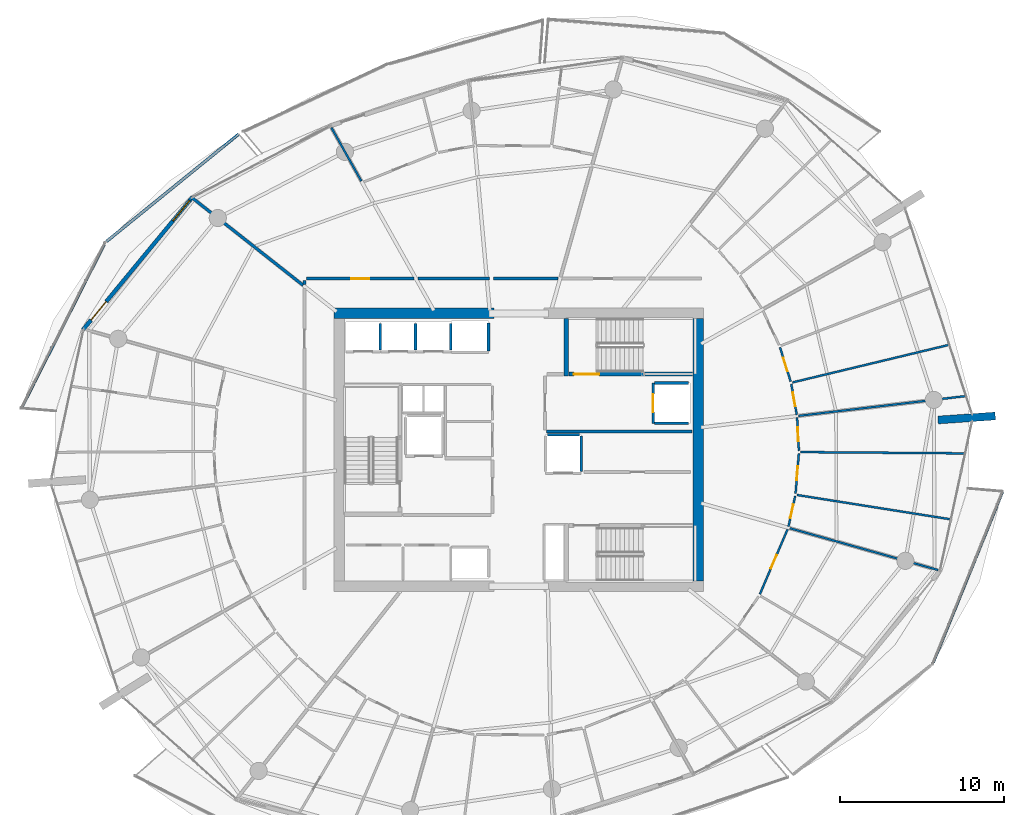
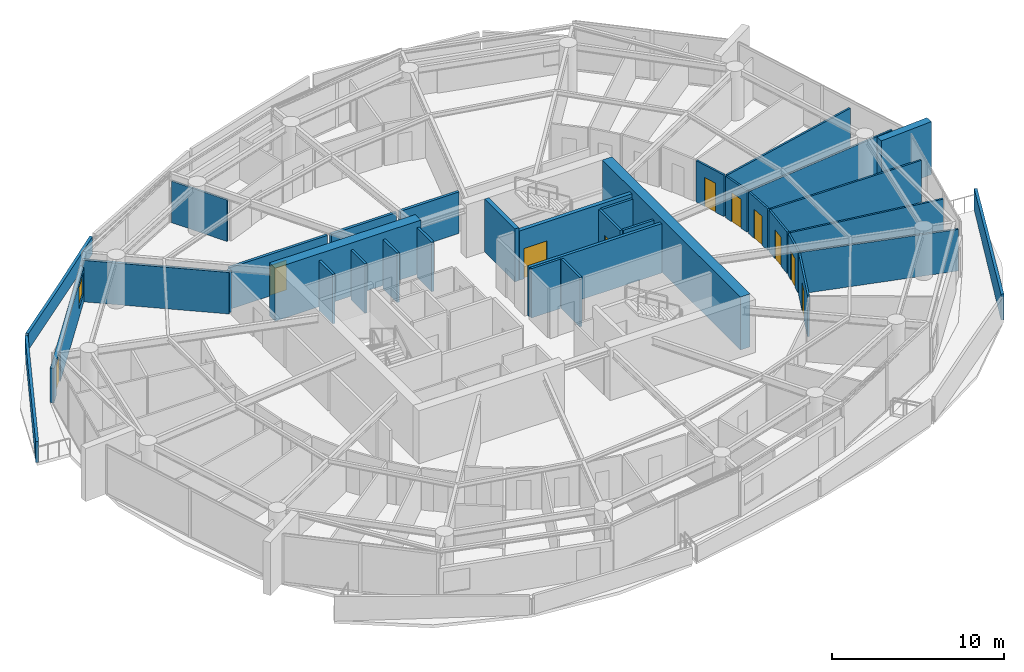
# One storey, part 14 of 21: 36 walls, 10 doors, 1 window, 11 openings.
"""IFC4 building model written with IfcOpenShell, lengths in metres."""

from ifc_helpers import new_model, si_unit, direction, frame, frame_2d, origin, place, context, subcontext, project, spatial, polyline, rectangle, outline, extrude, material, layer, layer_set, type_object, element, fill, save


model = new_model("IFC4")

# Units and contexts
model_context = context("Model", 3, precision=1e-05, world=origin(), true_north=direction((0.0, 1.0)))
body_context = subcontext(model_context, "Body", "Model", "MODEL_VIEW")
ifc_project = project(units=[si_unit("LENGTHUNIT", "METRE"), si_unit("AREAUNIT", "SQUARE_METRE"), si_unit("VOLUMEUNIT", "CUBIC_METRE"), si_unit("PLANEANGLEUNIT", "RADIAN"), si_unit("MASSUNIT", "GRAM", prefix="KILO")], contexts=[model_context])

# Site, building, storey
site_placement = place(None, origin())
site = spatial("IfcSite", under=ifc_project, at=site_placement, CompositionType="ELEMENT")
building_placement = place(site_placement, origin())
building = spatial("IfcBuilding", under=site, at=building_placement, Name="Kazma Halo Residences", CompositionType="ELEMENT")
storey_placement = place(building_placement, frame((0.0, 0.0, 187.800048828125)))
storey = spatial("IfcBuildingStorey", under=building, at=storey_placement, Name="L47", CompositionType="ELEMENT", Elevation=187.800048828125)

# Walls
ifc_material_1 = material(Name="White Concrete C50/60 Balustrade", Category="concrete")
ifc_layer_1 = layer(ifc_material_1, 0.179931640625)
ifc_layer_set_1 = layer_set([ifc_layer_1], Name="White Concrete C50/60 Balustrade")
wall_type_1 = type_object("IfcWallType", Name="WL-BAL-WAVE-180", PredefinedType="PARAPET", material=ifc_layer_set_1)
wall_1_placement = place(storey_placement, frame((31.336669921875, 61.2705078125, 0.0), z_axis=(0.0, 0.0, 1.0), x_axis=(-0.776456761235, -0.630170530834, 0.0)))
element("IfcWall", 1, at=wall_1_placement, inside=storey, type_object=wall_type_1, Name="L47 white wave balustrade wall NW.1", PredefinedType="PARAPET", context=body_context, shape_type="SweptSolid", body=[
    extrude(outline(polyline([(0.0, 0.0), (10.38916015625, 0.0), (10.38916015625, 1.14794921875), (5.194580078125, 1.126953125), (0.0, 1.223876953125), (0.0, 0.0)])), frame((0.0, 0.08984375, 0.0), z_axis=(0.0, -1.0, 0.0), x_axis=(1.0, 0.0, 0.0)), (0.0, 0.0, 1.0), 0.179931640625),
])
wall_2_placement = place(storey_placement, frame((23.12255859375, 54.541015625, 0.0), z_axis=(0.0, 0.0, 1.0), x_axis=(-0.451373731974, -0.892335001042, 0.0)))
element("IfcWall", 2, at=wall_2_placement, inside=storey, type_object=wall_type_1, Name="L47 white wave balustrade wall NW.2", PredefinedType="PARAPET", context=body_context, shape_type="SweptSolid", body=[
    extrude(outline(polyline([(0.0, 0.0), (11.207763671875, 0.0), (11.20751953125, 1.48291015625), (5.603759765625, 1.283935546875), (0.0, 1.14794921875), (0.0, 0.0)])), frame((0.0, 0.08984375, 0.0), z_axis=(0.0, -1.0, 0.0), x_axis=(1.0, 0.0, 0.0)), (0.0, 0.0, 1.0), 0.179931640625),
])
wall_3_placement = place(storey_placement, frame((73.724609375, 29.02685546875, 0.0), z_axis=(0.0, 0.0, 1.0), x_axis=(0.375821400088, 0.926692114586, 0.0)))
element("IfcWall", 3, at=wall_3_placement, inside=storey, type_object=wall_type_1, Name="L47 white wave balustrade wall SE.2", PredefinedType="PARAPET", context=body_context, shape_type="SweptSolid", body=[
    extrude(outline(polyline([(0.0, 0.0), (11.256591796875, 0.0), (11.256591796875, 1.4970703125), (5.62841796875, 1.696044921875), (0.0, 1.83203125), (0.0, 0.0)])), frame((0.0, 0.08984375, 0.0), z_axis=(0.0, -1.0, 0.0), x_axis=(1.0, 0.0, 0.0)), (0.0, 0.0, 1.0), 0.179931640625),
])
ifc_material_2 = material(Name="Pale Concrete C60/75", Category="concrete")
ifc_layer_2 = layer(ifc_material_2, 0.47998046875)
ifc_layer_set_2 = layer_set([ifc_layer_2], Name="Pale Concrete C60/75")
wall_type_2 = type_object("IfcWallType", Name="WL-BLADE-480", PredefinedType="SOLIDWALL", material=ifc_layer_set_2)
wall_4_placement = place(storey_placement, frame((74.0126953125, 43.819091796875, 0.0), z_axis=(0.0, 0.0, 1.0), x_axis=(0.997568676264, 0.069690287244, 0.0)))
element("IfcWall", 4, at=wall_4_placement, inside=storey, type_object=wall_type_2, Name="L47 pale concrete structural blade fin wall BW-04", PredefinedType="SOLIDWALL", context=body_context, shape_type="SweptSolid", body=[
    extrude(rectangle(XDim=3.499755859375, YDim=0.47998046875, at=frame_2d((1.75, 0.0))), origin(), (0.0, 0.0, 1.0), 3.75),
])
ifc_material_3 = material(Name="Concrete C60/75", Category="concrete")
ifc_layer_3 = layer(ifc_material_3, 0.64990234375)
ifc_layer_set_3 = layer_set([ifc_layer_3], Name="Concrete C60/75")
wall_type_3 = type_object("IfcWallType", Name="WL-CORE-650", PredefinedType="SHEAR", material=ifc_layer_set_3)
wall_5_placement = place(storey_placement, frame((37.14990234375, 50.324951171875, 0.0), z_axis=(0.0, 0.0, 1.0), x_axis=(1.0, 0.0, 0.0)))
element("IfcWall", 5, at=wall_5_placement, inside=storey, type_object=wall_type_3, Name="L47 central core shear wall NW", PredefinedType="SHEAR", context=body_context, shape_type="SweptSolid", body=[
    extrude(rectangle(XDim=9.75, YDim=0.64990234375, at=frame_2d((4.875, 0.0))), origin(), (0.0, 0.0, 1.0), 3.75),
])
wall_6_placement = place(storey_placement, frame((59.375, 34.0, 0.0), z_axis=(0.0, 0.0, 1.0), x_axis=(0.0, 1.0, 0.0)))
element("IfcWall", 6, at=wall_6_placement, inside=storey, type_object=wall_type_3, Name="L47 central core shear wall E", PredefinedType="SHEAR", context=body_context, shape_type="SweptSolid", body=[
    extrude(rectangle(XDim=16.0, YDim=0.64990234375, at=frame_2d((8.0, 0.0))), origin(), (0.0, 0.0, 1.0), 3.75),
])
ifc_layer_4 = layer(ifc_material_3, 0.280029296875)
ifc_layer_set_4 = layer_set([ifc_layer_4], Name="Concrete C60/75")
wall_type_4 = type_object("IfcWallType", Name="WL-CORE-ST-280", PredefinedType="SHEAR", material=ifc_layer_set_4)
wall_7_placement = place(storey_placement, frame((51.31005859375, 46.5, 0.0), z_axis=(0.0, 0.0, 1.0), x_axis=(0.0, 1.0, 0.0)))
element("IfcWall", 7, at=wall_7_placement, inside=storey, type_object=wall_type_4, Name="L47 stairwell bearing wall ST02-W", PredefinedType="SHEAR", context=body_context, shape_type="SweptSolid", body=[
    extrude(rectangle(XDim=3.5, YDim=0.280029296875, at=frame_2d((1.75, 0.0))), origin(), (0.0, 0.0, 1.0), 3.75),
])
ifc_material_4 = material(Name="Acoustic Twin-Stud Gypsum")
ifc_layer_5 = layer(ifc_material_4, 0.179931640625)
ifc_layer_set_5 = layer_set([ifc_layer_5], Name="Acoustic Twin-Stud Gypsum")
wall_type_5 = type_object("IfcWallType", Name="WL-DEM-180", PredefinedType="PARTITIONING", material=ifc_layer_set_5)
wall_8_placement = place(storey_placement, frame((35.263671875, 52.04052734375, 0.0), z_axis=(0.0, 0.0, 1.0), x_axis=(-0.785322457947, 0.619086938195, 0.0)))
element("IfcWall", 8, at=wall_8_placement, inside=storey, type_object=wall_type_5, Name="L47 apartment demising radial wall 05", PredefinedType="PARTITIONING", context=body_context, shape_type="SweptSolid", body=[
    extrude(rectangle(XDim=8.609130859375, YDim=0.179931640625, at=frame_2d((4.3046875, 0.0))), origin(), (0.0, 0.0, 1.0), 2.93994140625),
])

# Wall, opening, door
wall_9_placement = place(storey_placement, frame((42.027587890625, 52.449951171875, 0.0), z_axis=(0.0, 0.0, 1.0), x_axis=(-1.0, 0.0, 0.0)))
wall_9 = element("IfcWall", 9, at=wall_9_placement, inside=storey, type_object=wall_type_5, Name="L47 Apartment 1 entrance corridor wall", PredefinedType="PARTITIONING", context=body_context, shape_type="SweptSolid", body=[
    extrude(rectangle(XDim=6.5576171875, YDim=0.179931640625, at=frame_2d((3.27880859375, 0.0))), origin(), (0.0, 0.0, 1.0), 2.93994140625),
])
opening_1_placement = place(wall_9_placement, frame((2.72900390625, 0.0, 0.0)))
opening_1 = element("IfcOpeningElement", 10, at=opening_1_placement, cuts=wall_9, Name="Opening DA-1100", PredefinedType="OPENING", context=body_context, shape_type="SweptSolid", body=[
    extrude(rectangle(XDim=1.10009765625, YDim=2.10009765625, at=frame_2d((0.550048828125, 1.050048828125))), frame((0.0, 0.099853515625, 0.0), z_axis=(0.0, -1.0, 0.0), x_axis=(1.0, 0.0, 0.0)), (0.0, 0.0, 1.0), 0.199951171875),
])
ifc_material_5 = material(Name="Acoustic Walnut Fire Leaf")
door_type_1 = type_object("IfcDoorType", Name="DR-FD60-1100", OperationType="NOTDEFINED", PredefinedType="DOOR", material=ifc_material_5)
door_1_placement = place(opening_1_placement, origin())
door_1 = element("IfcDoor", 11, at=door_1_placement, inside=storey, type_object=door_type_1, Name="L47 Apartment 1 entrance fire door", OperationType="SINGLE_SWING_LEFT", OverallHeight=2.10009765625, OverallWidth=1.10009765625, PredefinedType="DOOR", context=body_context, shape_type="SweptSolid", body=[
    extrude(rectangle(XDim=1.10009765625, YDim=2.10009765625, at=frame_2d((0.550048828125, 1.050048828125))), frame((0.0, 0.02490234375, 0.0), z_axis=(0.0, -1.0, 0.0), x_axis=(1.0, 0.0, 0.0)), (0.0, 0.0, 1.0), 0.050048828125),
])
fill(opening_1, door_1)

# Walls
wall_10_placement = place(storey_placement, frame((35.35009765625, 52.330078125, 0.0), z_axis=(0.0, 0.0, 1.0), x_axis=(0.0, -1.0, 0.0)))
element("IfcWall", 12, at=wall_10_placement, inside=storey, type_object=wall_type_5, Name="L47 Apartment 1 entrance corridor wall", PredefinedType="PARTITIONING", context=body_context, shape_type="SweptSolid", body=[
    extrude(rectangle(XDim=0.237548828125, YDim=0.179931640625, at=frame_2d((0.11865234375, 0.0))), origin(), (0.0, 0.0, 1.0), 2.93994140625),
])
wall_11_placement = place(storey_placement, frame((50.8271484375, 52.449951171875, 0.0), z_axis=(0.0, 0.0, 1.0), x_axis=(-1.0, 0.0, 0.0)))
element("IfcWall", 13, at=wall_11_placement, inside=storey, type_object=wall_type_5, Name="L47 Apartment 1 inner wall 2", PredefinedType="PARTITIONING", context=body_context, shape_type="SweptSolid", body=[
    extrude(rectangle(XDim=3.94384765625, YDim=0.179931640625, at=frame_2d((1.971923828125, 0.0))), origin(), (0.0, 0.0, 1.0), 2.93994140625),
])
wall_12_placement = place(storey_placement, frame((46.643310546875, 52.449951171875, 0.0), z_axis=(0.0, 0.0, 1.0), x_axis=(-1.0, 0.0, 0.0)))
element("IfcWall", 14, at=wall_12_placement, inside=storey, type_object=wall_type_5, Name="L47 Apartment 1 inner wall 3", PredefinedType="PARTITIONING", context=body_context, shape_type="SweptSolid", body=[
    extrude(rectangle(XDim=4.375732421875, YDim=0.179931640625, at=frame_2d((2.18798828125, 0.0))), origin(), (0.0, 0.0, 1.0), 2.93994140625),
])

# Wall, openings, door, window
ifc_material_6 = material(Name="Insulated Pale-Metal Composite Wall")
ifc_layer_6 = layer(ifc_material_6, 0.239990234375)
ifc_layer_set_6 = layer_set([ifc_layer_6], Name="Insulated Pale-Metal Composite Wall")
wall_type_6 = type_object("IfcWallType", Name="WL-EXT-HOST-240", PredefinedType="SOLIDWALL", material=ifc_layer_set_6)
wall_13_placement = place(storey_placement, frame((28.514892578125, 57.42431640625, 0.0), z_axis=(0.0, 0.0, 1.0), x_axis=(-0.636759394418, -0.771062561418, 0.0)))
wall_13 = element("IfcWall", 15, at=wall_13_placement, inside=storey, type_object=wall_type_6, Name="L47 exterior terrace-access wall B06", PredefinedType="SOLIDWALL", context=body_context, shape_type="SweptSolid", body=[
    extrude(rectangle(XDim=10.494384765625, YDim=0.239990234375, at=frame_2d((5.2470703125, 0.0))), origin(), (0.0, 0.0, 1.0), 2.449951171875),
])
opening_2_placement = place(wall_13_placement, frame((8.2744140625, 0.0, 0.0)))
opening_2 = element("IfcOpeningElement", 16, at=opening_2_placement, cuts=wall_13, Name="Opening DTR-1600", PredefinedType="OPENING", context=body_context, shape_type="SweptSolid", body=[
    extrude(rectangle(XDim=1.449951171875, YDim=2.14990234375, at=frame_2d((0.72509765625, 1.074951171875))), frame((0.0, 0.1298828125, 0.0), z_axis=(0.0, -1.0, 0.0), x_axis=(1.0, 0.0, 0.0)), (0.0, 0.0, 1.0), 0.260009765625),
])
opening_3_placement = place(wall_13_placement, frame((0.280029296875, 0.0, 0.64990234375)))
opening_3 = element("IfcOpeningElement", 17, at=opening_3_placement, cuts=wall_13, Name="Opening W-1800", PredefinedType="OPENING", context=body_context, shape_type="SweptSolid", body=[
    extrude(rectangle(XDim=1.60009765625, YDim=1.5, at=frame_2d((0.800048828125, 0.75))), frame((0.0, 0.1298828125, 0.0), z_axis=(0.0, -1.0, 0.0), x_axis=(1.0, 0.0, 0.0)), (0.0, 0.0, 1.0), 0.260009765625),
])
ifc_material_7 = material(Name="Aluminium AW-6063 T6 Double-Glazed Terrace Door", Category="aluminium")
door_type_2 = type_object("IfcDoorType", Name="DR-EXT-TERR-1600", OperationType="NOTDEFINED", PredefinedType="DOOR", material=ifc_material_7)
door_2_placement = place(opening_2_placement, origin())
door_2 = element("IfcDoor", 18, at=door_2_placement, inside=storey, type_object=door_type_2, Name="L47 B06 balcony terrace door", OperationType="DOUBLE_DOOR_SLIDING", OverallHeight=2.14990234375, OverallWidth=1.449951171875, PredefinedType="DOOR", context=body_context, shape_type="SweptSolid", body=[
    extrude(rectangle(XDim=1.449951171875, YDim=2.14990234375, at=frame_2d((0.72509765625, 1.074951171875))), frame((0.0, 0.02490234375, 0.0), z_axis=(0.0, -1.0, 0.0), x_axis=(1.0, 0.0, 0.0)), (0.0, 0.0, 1.0), 0.050048828125),
])
fill(opening_2, door_2)
ifc_material_8 = material(Name="Clear Triple-Silver Low-E Glass in Aluminium AW-6063 T6 Frame", Category="aluminium")
window_type = type_object("IfcWindowType", Name="WIN-RES-1800", PartitioningType="DOUBLE_PANEL_VERTICAL", PredefinedType="WINDOW", material=ifc_material_8)
window_placement = place(opening_3_placement, origin())
window = element("IfcWindow", 19, at=window_placement, inside=storey, type_object=window_type, Name="L47 B06 apartment window", OverallHeight=1.5, OverallWidth=1.60009765625, PartitioningType="SINGLE_PANEL", PredefinedType="WINDOW", context=body_context, shape_type="SweptSolid", body=[
    extrude(rectangle(XDim=1.60009765625, YDim=1.5, at=frame_2d((0.800048828125, 0.75))), frame((0.0, 0.030029296875, 0.0), z_axis=(0.0, -1.0, 0.0), x_axis=(1.0, 0.0, 0.0)), (0.0, 0.0, 1.0), 0.06005859375),
])
fill(opening_3, window)

# Walls
ifc_material_9 = material(Name="Fire-Rated Blockwork Masonry", Category="masonry")
ifc_layer_7 = layer(ifc_material_9, 0.199951171875)
ifc_layer_set_7 = layer_set([ifc_layer_7], Name="Fire-Rated Blockwork Masonry")
wall_type_7 = type_object("IfcWallType", Name="WL-FLB-200", PredefinedType="PARTITIONING", material=ifc_layer_set_7)
for number, where, z_axis, x_axis, name in (
    (20, (39.97509765625, 48.094970703125, 0.0), (0.0, 0.0, 1.0), (0.0, 1.0, 0.0), "L47 lift shaft PM-01 side wall E"),
    (21, (42.125, 48.094970703125, 0.0), (0.0, 0.0, 1.0), (0.0, 1.0, 0.0), "L47 lift shaft PM-02 side wall E"),
    (22, (44.27490234375, 48.094970703125, 0.0), (0.0, 0.0, 1.0), (0.0, 1.0, 0.0), "L47 lift shaft PM-03 side wall E"),
):
    element("IfcWall", number, at=place(storey_placement, frame(where, z_axis=z_axis, x_axis=x_axis)), inside=storey, type_object=wall_type_7, Name=name, PredefinedType="PARTITIONING", context=body_context, shape_type="SweptSolid", body=[
        extrude(rectangle(XDim=1.610107421875, YDim=0.159912109375, at=frame_2d((0.80517578125, 0.0))), origin(), (0.0, 0.0, 1.0), 3.5),
    ])
wall_14_placement = place(storey_placement, frame((46.580078125, 48.044921875, 0.0), z_axis=(0.0, 0.0, 1.0), x_axis=(0.0, 1.0, 0.0)))
element("IfcWall", 23, at=wall_14_placement, inside=storey, type_object=wall_type_7, Name="L47 lift shaft PX-01 side wall E", PredefinedType="PARTITIONING", context=body_context, shape_type="SweptSolid", body=[
    extrude(rectangle(XDim=1.7099609375, YDim=0.159912109375, at=frame_2d((0.85498046875, 0.0))), origin(), (0.0, 0.0, 1.0), 3.5),
])

# Wall, opening, door
wall_15_placement = place(storey_placement, frame((56.6201171875, 46.080078125, 0.0), z_axis=(0.0, 0.0, 1.0), x_axis=(0.0, -1.0, 0.0)))
wall_15 = element("IfcWall", 24, at=wall_15_placement, inside=storey, type_object=wall_type_7, Name="L47 lift shaft FL-02 front wall", PredefinedType="PARTITIONING", context=body_context, shape_type="SweptSolid", body=[
    extrude(rectangle(XDim=2.4599609375, YDim=0.159912109375, at=frame_2d((1.22998046875, 0.0))), origin(), (0.0, 0.0, 1.0), 3.5),
])
opening_4_placement = place(wall_15_placement, frame((0.679931640625, 0.0, 0.0)))
opening_4 = element("IfcOpeningElement", 25, at=opening_4_placement, cuts=wall_15, Name="Opening LD-FL-02", PredefinedType="OPENING", context=body_context, shape_type="SweptSolid", body=[
    extrude(rectangle(XDim=1.10009765625, YDim=2.10009765625, at=frame_2d((0.550048828125, 1.050048828125))), frame((0.0, 0.08984375, 0.0), z_axis=(0.0, -1.0, 0.0), x_axis=(1.0, 0.0, 0.0)), (0.0, 0.0, 1.0), 0.179931640625),
])
ifc_material_10 = material(Name="Stainless Steel Fire-Rated", Category="steel")
door_type_3 = type_object("IfcDoorType", Name="DR-LIFT-SLD-1100", OperationType="DOUBLE_DOOR_SLIDING", PredefinedType="DOOR", material=ifc_material_10)
door_3_placement = place(opening_4_placement, origin())
door_3 = element("IfcDoor", 26, at=door_3_placement, inside=storey, type_object=door_type_3, Name="L47 lift FL-02 sliding landing door", OperationType="DOUBLE_DOOR_SLIDING", OverallHeight=2.10009765625, OverallWidth=1.10009765625, PredefinedType="DOOR", context=body_context, shape_type="SweptSolid", body=[
    extrude(rectangle(XDim=1.10009765625, YDim=2.10009765625, at=frame_2d((0.550048828125, 1.050048828125))), frame((0.0, 0.02490234375, 0.0), z_axis=(0.0, -1.0, 0.0), x_axis=(1.0, 0.0, 0.0)), (0.0, 0.0, 1.0), 0.050048828125),
])
fill(opening_4, door_3)

# Walls
for number, where, z_axis, x_axis, name in (
    (27, (56.719970703125, 46.080078125, 0.0), (0.0, 0.0, 1.0), (1.0, 0.0, 0.0), "L47 lift shaft FL-02 side wall N"),
    (28, (56.719970703125, 43.6201171875, 0.0), (0.0, 0.0, 1.0), (1.0, 0.0, 0.0), "L47 lift shaft FL-02 side wall S"),
):
    element("IfcWall", number, at=place(storey_placement, frame(where, z_axis=z_axis, x_axis=x_axis)), inside=storey, type_object=wall_type_7, Name=name, PredefinedType="PARTITIONING", context=body_context, shape_type="SweptSolid", body=[
        extrude(rectangle(XDim=2.06005859375, YDim=0.159912109375, at=frame_2d((1.030029296875, 0.0))), origin(), (0.0, 0.0, 1.0), 3.5),
    ])
wall_16_placement = place(storey_placement, frame((52.22998046875, 40.669921875, 0.0), z_axis=(0.0, 0.0, 1.0), x_axis=(0.0, 1.0, 0.0)))
element("IfcWall", 29, at=wall_16_placement, inside=storey, type_object=wall_type_7, Name="L47 lift shaft SV-01 side wall E", PredefinedType="PARTITIONING", context=body_context, shape_type="SweptSolid", body=[
    extrude(rectangle(XDim=2.16015625, YDim=0.159912109375, at=frame_2d((1.080078125, 0.0))), origin(), (0.0, 0.0, 1.0), 3.5),
])
wall_17_placement = place(storey_placement, frame((50.169921875, 42.929931640625, 0.0), z_axis=(0.0, 0.0, 1.0), x_axis=(1.0, 0.0, 0.0)))
element("IfcWall", 30, at=wall_17_placement, inside=storey, type_object=wall_type_7, Name="L47 lift shaft SV-01 side wall N", PredefinedType="PARTITIONING", context=body_context, shape_type="SweptSolid", body=[
    extrude(rectangle(XDim=1.9599609375, YDim=0.159912109375, at=frame_2d((0.97998046875, 0.0))), origin(), (0.0, 0.0, 1.0), 3.5),
])
wall_18_placement = place(storey_placement, frame((50.1201171875, 43.1201171875, 0.0), z_axis=(0.0, 0.0, 1.0), x_axis=(1.0, 0.0, 0.0)))
element("IfcWall", 31, at=wall_18_placement, inside=storey, type_object=wall_type_7, Name="L47 east firefighting lobby south smoke wall", PredefinedType="PARTITIONING", context=body_context, shape_type="SweptSolid", body=[
    extrude(rectangle(XDim=8.8798828125, YDim=0.199951171875, at=frame_2d((4.43994140625, 0.0))), origin(), (0.0, 0.0, 1.0), 3.5),
])
ifc_material_11 = material(Name="Gypsum Plasterboard Partition")
ifc_layer_8 = layer(ifc_material_11, 0.125)
ifc_layer_set_8 = layer_set([ifc_layer_8], Name="Gypsum Plasterboard Partition")
wall_type_8 = type_object("IfcWallType", Name="WL-PART-125", PredefinedType="PARTITIONING", material=ifc_layer_set_8)
wall_19_placement = place(storey_placement, frame((38.81689453125, 58.397705078125, 0.0), z_axis=(0.0, 0.0, 1.0), x_axis=(-0.488615290892, 0.872499339545, 0.0)))
element("IfcWall", 32, at=wall_19_placement, inside=storey, type_object=wall_type_8, Name="L47 Apartment 1 living radial partition 3", PredefinedType="PARTITIONING", context=body_context, shape_type="SweptSolid", body=[
    extrude(rectangle(XDim=3.741455078125, YDim=0.125, at=frame_2d((1.87060546875, 0.0))), origin(), (0.0, 0.0, 1.0), 2.93994140625),
])

# Wall, opening, door
wall_20_placement = place(storey_placement, frame((63.14208984375, 33.193115234375, 0.0), z_axis=(0.0, 0.0, 1.0), x_axis=(0.392302335844, 0.919836331796, 0.0)))
wall_20 = element("IfcWall", 33, at=wall_20_placement, inside=storey, type_object=wall_type_8, Name="L47 Apartment 3 Outer Master Bedroom hall wall", PredefinedType="PARTITIONING", context=body_context, shape_type="SweptSolid", body=[
    extrude(rectangle(XDim=4.30224609375, YDim=0.125, at=frame_2d((2.151123046875, 0.0))), origin(), (0.0, 0.0, 1.0), 2.93994140625),
])
opening_5_placement = place(wall_20_placement, frame((1.701171875, 0.0, 0.0)))
opening_5 = element("IfcOpeningElement", 34, at=opening_5_placement, cuts=wall_20, Name="Opening DI-950", PredefinedType="OPENING", context=body_context, shape_type="SweptSolid", body=[
    extrude(rectangle(XDim=0.89990234375, YDim=2.080078125, at=frame_2d((0.449951171875, 1.0400390625))), frame((0.0, 0.072509765625, 0.0), z_axis=(0.0, -1.0, 0.0), x_axis=(1.0, 0.0, 0.0)), (0.0, 0.0, 1.0), 0.14501953125),
])
ifc_material_12 = material(Name="Timber Veneer Flush Leaf", Category="wood")
door_type_4 = type_object("IfcDoorType", Name="DR-INT-950", OperationType="NOTDEFINED", PredefinedType="DOOR", material=ifc_material_12)
door_4_placement = place(opening_5_placement, origin())
door_4 = element("IfcDoor", 35, at=door_4_placement, inside=storey, type_object=door_type_4, Name="L47 Apartment 3 Outer Master Bedroom door", OperationType="SINGLE_SWING_RIGHT", OverallHeight=2.080078125, OverallWidth=0.89990234375, PredefinedType="DOOR", context=body_context, shape_type="SweptSolid", body=[
    extrude(rectangle(XDim=0.89990234375, YDim=2.080078125, at=frame_2d((0.449951171875, 1.0400390625))), frame((0.0, 0.02490234375, 0.0), z_axis=(0.0, -1.0, 0.0), x_axis=(1.0, 0.0, 0.0)), (0.0, 0.0, 1.0), 0.050048828125),
])
fill(opening_5, door_4)

# Walls
wall_21_placement = place(storey_placement, frame((64.965087890625, 37.21533203125, 0.0), z_axis=(0.0, 0.0, 1.0), x_axis=(0.962454024137, -0.271444748378, 0.0)))
element("IfcWall", 36, at=wall_21_placement, inside=storey, type_object=wall_type_8, Name="L47 Apartment 3 radial partition 14", PredefinedType="PARTITIONING", context=body_context, shape_type="SweptSolid", body=[
    extrude(rectangle(XDim=9.4033203125, YDim=0.125, at=frame_2d((4.70166015625, 0.0))), origin(), (0.0, 0.0, 1.0), 2.93994140625),
])
wall_22_placement = place(storey_placement, frame((65.400146484375, 39.244140625, 0.0), z_axis=(0.0, 0.0, 1.0), x_axis=(0.987688031288, -0.156436417916, 0.0)))
element("IfcWall", 37, at=wall_22_placement, inside=storey, type_object=wall_type_8, Name="L47 Apartment 3 bay wall 1 14", PredefinedType="PARTITIONING", context=body_context, shape_type="SweptSolid", body=[
    extrude(rectangle(XDim=9.498046875, YDim=0.125, at=frame_2d((4.7490234375, 0.0))), origin(), (0.0, 0.0, 1.0), 2.93994140625),
])
wall_23_placement = place(storey_placement, frame((65.616455078125, 41.861572265625, 0.0), z_axis=(0.0, 0.0, 1.0), x_axis=(0.999969275456, -0.007838886617, 0.0)))
element("IfcWall", 38, at=wall_23_placement, inside=storey, type_object=wall_type_8, Name="L47 Apartment 3 bay wall 2 14", PredefinedType="PARTITIONING", context=body_context, shape_type="SweptSolid", body=[
    extrude(rectangle(XDim=10.028564453125, YDim=0.125, at=frame_2d((5.01416015625, 0.0))), origin(), (0.0, 0.0, 1.0), 2.93994140625),
])

# Wall, opening, door
wall_24_placement = place(storey_placement, frame((64.885986328125, 37.320556640625, 0.0), z_axis=(0.0, 0.0, 1.0), x_axis=(0.214404311004, 0.976744998156, 0.0)))
wall_24 = element("IfcWall", 39, at=wall_24_placement, inside=storey, type_object=wall_type_8, Name="L47 Apartment 3 Corner Bedroom hall wall", PredefinedType="PARTITIONING", context=body_context, shape_type="SweptSolid", body=[
    extrude(rectangle(XDim=1.90380859375, YDim=0.125, at=frame_2d((0.951904296875, 0.0))), origin(), (0.0, 0.0, 1.0), 2.93994140625),
])
opening_6_placement = place(wall_24_placement, frame((0.52685546875, 0.0, 0.0)))
opening_6 = element("IfcOpeningElement", 40, at=opening_6_placement, cuts=wall_24, Name="Opening DB-900", PredefinedType="OPENING", context=body_context, shape_type="SweptSolid", body=[
    extrude(rectangle(XDim=0.85009765625, YDim=2.06005859375, at=frame_2d((0.425048828125, 1.030029296875))), frame((0.0, 0.072509765625, 0.0), z_axis=(0.0, -1.0, 0.0), x_axis=(1.0, 0.0, 0.0)), (0.0, 0.0, 1.0), 0.14501953125),
])
ifc_material_13 = material(Name="Moisture-Sealed Timber Leaf", Category="wood")
door_type_5 = type_object("IfcDoorType", Name="DR-BTH-900", OperationType="NOTDEFINED", PredefinedType="DOOR", material=ifc_material_13)
door_5_placement = place(opening_6_placement, origin())
door_5 = element("IfcDoor", 41, at=door_5_placement, inside=storey, type_object=door_type_5, Name="L47 Apartment 3 Corner Bedroom door", OperationType="SINGLE_SWING_LEFT", OverallHeight=2.06005859375, OverallWidth=0.85009765625, PredefinedType="DOOR", context=body_context, shape_type="SweptSolid", body=[
    extrude(rectangle(XDim=0.85009765625, YDim=2.06005859375, at=frame_2d((0.425048828125, 1.030029296875))), frame((0.0, 0.02490234375, 0.0), z_axis=(0.0, -1.0, 0.0), x_axis=(1.0, 0.0, 0.0)), (0.0, 0.0, 1.0), 0.050048828125),
])
fill(opening_6, door_5)

wall_25_placement = place(storey_placement, frame((65.31787109375, 39.337890625, 0.0), z_axis=(0.0, 0.0, 1.0), x_axis=(0.082403040097, 0.996599086385, 0.0)))
wall_25 = element("IfcWall", 42, at=wall_25_placement, inside=storey, type_object=wall_type_8, Name="L47 Apartment 3 Garden Study hall wall", PredefinedType="PARTITIONING", context=body_context, shape_type="SweptSolid", body=[
    extrude(rectangle(XDim=2.453125, YDim=0.125, at=frame_2d((1.2265625, 0.0))), origin(), (0.0, 0.0, 1.0), 2.93994140625),
])
opening_7_placement = place(wall_25_placement, frame((0.801513671875, 0.0, 0.0)))
opening_7 = element("IfcOpeningElement", 43, at=opening_7_placement, cuts=wall_25, Name="Opening DB-900", PredefinedType="OPENING", context=body_context, shape_type="SweptSolid", body=[
    extrude(rectangle(XDim=0.85009765625, YDim=2.06005859375, at=frame_2d((0.425048828125, 1.030029296875))), frame((0.0, 0.072509765625, 0.0), z_axis=(0.0, -1.0, 0.0), x_axis=(1.0, 0.0, 0.0)), (0.0, 0.0, 1.0), 0.14501953125),
])
door_6_placement = place(opening_7_placement, origin())
door_6 = element("IfcDoor", 44, at=door_6_placement, inside=storey, type_object=door_type_5, Name="L47 Apartment 3 Garden Study door", OperationType="SINGLE_SWING_RIGHT", OverallHeight=2.06005859375, OverallWidth=0.85009765625, PredefinedType="DOOR", context=body_context, shape_type="SweptSolid", body=[
    extrude(rectangle(XDim=0.85009765625, YDim=2.06005859375, at=frame_2d((0.425048828125, 1.030029296875))), frame((0.0, 0.02490234375, 0.0), z_axis=(0.0, -1.0, 0.0), x_axis=(1.0, 0.0, 0.0)), (0.0, 0.0, 1.0), 0.050048828125),
])
fill(opening_7, door_6)

wall_26_placement = place(storey_placement, frame((65.522216796875, 41.942138671875, 0.0), z_axis=(0.0, 0.0, 1.0), x_axis=(-0.055019552889, 0.998485277207, 0.0)))
wall_26 = element("IfcWall", 45, at=wall_26_placement, inside=storey, type_object=wall_type_8, Name="L47 Apartment 3 Sky Bedroom hall wall", PredefinedType="PARTITIONING", context=body_context, shape_type="SweptSolid", body=[
    extrude(rectangle(XDim=2.041259765625, YDim=0.125, at=frame_2d((1.0205078125, 0.0))), origin(), (0.0, 0.0, 1.0), 2.93994140625),
])
opening_8_placement = place(wall_26_placement, frame((0.595458984375, 0.0, 0.0)))
opening_8 = element("IfcOpeningElement", 46, at=opening_8_placement, cuts=wall_26, Name="Opening DB-900", PredefinedType="OPENING", context=body_context, shape_type="SweptSolid", body=[
    extrude(rectangle(XDim=0.85009765625, YDim=2.06005859375, at=frame_2d((0.425048828125, 1.030029296875))), frame((0.0, 0.072509765625, 0.0), z_axis=(0.0, -1.0, 0.0), x_axis=(1.0, 0.0, 0.0)), (0.0, 0.0, 1.0), 0.14501953125),
])
door_7_placement = place(opening_8_placement, origin())
door_7 = element("IfcDoor", 47, at=door_7_placement, inside=storey, type_object=door_type_5, Name="L47 Apartment 3 Sky Bedroom door", OperationType="SINGLE_SWING_LEFT", OverallHeight=2.06005859375, OverallWidth=0.85009765625, PredefinedType="DOOR", context=body_context, shape_type="SweptSolid", body=[
    extrude(rectangle(XDim=0.85009765625, YDim=2.06005859375, at=frame_2d((0.425048828125, 1.030029296875))), frame((0.0, 0.02490234375, 0.0), z_axis=(0.0, -1.0, 0.0), x_axis=(1.0, 0.0, 0.0)), (0.0, 0.0, 1.0), 0.050048828125),
])
fill(opening_8, door_7)

# Walls
wall_27_placement = place(storey_placement, frame((65.5048828125, 44.072021484375, 0.0), z_axis=(0.0, 0.0, 1.0), x_axis=(0.993069706364, 0.117526840773, 0.0)))
element("IfcWall", 48, at=wall_27_placement, inside=storey, type_object=wall_type_8, Name="L47 Apartment 3 radial partition 15", PredefinedType="PARTITIONING", context=body_context, shape_type="SweptSolid", body=[
    extrude(rectangle(XDim=10.26806640625, YDim=0.125, at=frame_2d((5.134033203125, 0.0))), origin(), (0.0, 0.0, 1.0), 2.93994140625),
])
wall_28_placement = place(storey_placement, frame((65.130126953125, 46.112548828125, 0.0), z_axis=(0.0, 0.0, 1.0), x_axis=(0.972369708309, 0.233446247267, 0.0)))
element("IfcWall", 49, at=wall_28_placement, inside=storey, type_object=wall_type_8, Name="L47 Apartment 3 bay wall 1 15", PredefinedType="PARTITIONING", context=body_context, shape_type="SweptSolid", body=[
    extrude(rectangle(XDim=9.826416015625, YDim=0.125, at=frame_2d((4.9130859375, 0.0))), origin(), (0.0, 0.0, 1.0), 2.93994140625),
])

# Wall, opening, door
wall_29_placement = place(storey_placement, frame((65.391357421875, 44.138916015625, 0.0), z_axis=(0.0, 0.0, 1.0), x_axis=(-0.175724047716, 0.984439464393, 0.0)))
wall_29 = element("IfcWall", 50, at=wall_29_placement, inside=storey, type_object=wall_type_8, Name="L47 Apartment 3 Gulf Bedroom hall wall", PredefinedType="PARTITIONING", context=body_context, shape_type="SweptSolid", body=[
    extrude(rectangle(XDim=1.9033203125, YDim=0.125, at=frame_2d((0.95166015625, 0.0))), origin(), (0.0, 0.0, 1.0), 2.93994140625),
])
opening_9_placement = place(wall_29_placement, frame((0.52685546875, 0.0, 0.0)))
opening_9 = element("IfcOpeningElement", 51, at=opening_9_placement, cuts=wall_29, Name="Opening DB-900", PredefinedType="OPENING", context=body_context, shape_type="SweptSolid", body=[
    extrude(rectangle(XDim=0.85009765625, YDim=2.06005859375, at=frame_2d((0.425048828125, 1.030029296875))), frame((0.0, 0.072509765625, 0.0), z_axis=(0.0, -1.0, 0.0), x_axis=(1.0, 0.0, 0.0)), (0.0, 0.0, 1.0), 0.14501953125),
])
door_8_placement = place(opening_9_placement, origin())
door_8 = element("IfcDoor", 52, at=door_8_placement, inside=storey, type_object=door_type_5, Name="L47 Apartment 3 Gulf Bedroom door", OperationType="SINGLE_SWING_RIGHT", OverallHeight=2.06005859375, OverallWidth=0.85009765625, PredefinedType="DOOR", context=body_context, shape_type="SweptSolid", body=[
    extrude(rectangle(XDim=0.85009765625, YDim=2.06005859375, at=frame_2d((0.425048828125, 1.030029296875))), frame((0.0, 0.02490234375, 0.0), z_axis=(0.0, -1.0, 0.0), x_axis=(1.0, 0.0, 0.0)), (0.0, 0.0, 1.0), 0.050048828125),
])
fill(opening_9, door_8)

wall_30_placement = place(storey_placement, frame((65.018798828125, 46.16796875, 0.0), z_axis=(0.0, 0.0, 1.0), x_axis=(-0.297777206139, 0.954635394014, 0.0)))
wall_30 = element("IfcWall", 53, at=wall_30_placement, inside=storey, type_object=wall_type_8, Name="L47 Apartment 3 Primary Laundry Room hall wall", PredefinedType="PARTITIONING", context=body_context, shape_type="SweptSolid", body=[
    extrude(rectangle(XDim=2.178466796875, YDim=0.125, at=frame_2d((1.08935546875, 0.0))), origin(), (0.0, 0.0, 1.0), 2.93994140625),
])
opening_10_placement = place(wall_30_placement, frame((0.664306640625, 0.0, 0.0)))
opening_10 = element("IfcOpeningElement", 54, at=opening_10_placement, cuts=wall_30, Name="Opening DB-900", PredefinedType="OPENING", context=body_context, shape_type="SweptSolid", body=[
    extrude(rectangle(XDim=0.85009765625, YDim=2.06005859375, at=frame_2d((0.425048828125, 1.030029296875))), frame((0.0, 0.072509765625, 0.0), z_axis=(0.0, -1.0, 0.0), x_axis=(1.0, 0.0, 0.0)), (0.0, 0.0, 1.0), 0.14501953125),
])
door_9_placement = place(opening_10_placement, origin())
door_9 = element("IfcDoor", 55, at=door_9_placement, inside=storey, type_object=door_type_5, Name="L47 Apartment 3 Primary Laundry Room door", OperationType="SINGLE_SWING_LEFT", OverallHeight=2.06005859375, OverallWidth=0.85009765625, PredefinedType="DOOR", context=body_context, shape_type="SweptSolid", body=[
    extrude(rectangle(XDim=0.85009765625, YDim=2.06005859375, at=frame_2d((0.425048828125, 1.030029296875))), frame((0.0, 0.02490234375, 0.0), z_axis=(0.0, -1.0, 0.0), x_axis=(1.0, 0.0, 0.0)), (0.0, 0.0, 1.0), 0.050048828125),
])
fill(opening_10, door_9)

ifc_material_14 = material(Name="Concrete C50/60", Category="concrete")
ifc_layer_9 = layer(ifc_material_14, 0.25)
ifc_layer_set_9 = layer_set([ifc_layer_9], Name="Concrete C50/60")
wall_type_9 = type_object("IfcWallType", Name="WL-SHF-250", PredefinedType="SOLIDWALL", material=ifc_layer_set_9)
wall_31_placement = place(storey_placement, frame((51.47998046875, 46.6201171875, 0.0), z_axis=(0.0, 0.0, 1.0), x_axis=(1.0, 0.0, 0.0)))
wall_31 = element("IfcWall", 56, at=wall_31_placement, inside=storey, type_object=wall_type_9, Name="L47 exit stair ST-02 enclosure wall", PredefinedType="SOLIDWALL", context=body_context, shape_type="SweptSolid", body=[
    extrude(rectangle(XDim=7.5400390625, YDim=0.25, at=frame_2d((3.77001953125, 0.0))), origin(), (0.0, 0.0, 1.0), 3.5),
])
opening_11_placement = place(wall_31_placement, frame((0.300048828125, 0.0, 0.0)))
opening_11 = element("IfcOpeningElement", 57, at=opening_11_placement, cuts=wall_31, Name="Opening D-ST2", PredefinedType="OPENING", context=body_context, shape_type="SweptSolid", body=[
    extrude(rectangle(XDim=1.550048828125, YDim=2.14990234375, at=frame_2d((0.77490234375, 1.074951171875))), frame((0.0, 0.135009765625, 0.0), z_axis=(0.0, -1.0, 0.0), x_axis=(1.0, 0.0, 0.0)), (0.0, 0.0, 1.0), 0.27001953125),
])
ifc_material_15 = material(Name="Fire-Rated Double Steel Leaf", Category="steel")
door_type_6 = type_object("IfcDoorType", Name="DR-FD90-1550", OperationType="NOTDEFINED", PredefinedType="DOOR", material=ifc_material_15)
door_10_placement = place(opening_11_placement, origin())
door_10 = element("IfcDoor", 58, at=door_10_placement, inside=storey, type_object=door_type_6, Name="L47 exit stair ST-02 fire door", OperationType="DOUBLE_DOOR_SINGLE_SWING", OverallHeight=2.14990234375, OverallWidth=1.550048828125, PredefinedType="DOOR", context=body_context, shape_type="SweptSolid", body=[
    extrude(rectangle(XDim=1.550048828125, YDim=2.14990234375, at=frame_2d((0.77490234375, 1.074951171875))), frame((0.0, 0.02490234375, 0.0), z_axis=(0.0, -1.0, 0.0), x_axis=(1.0, 0.0, 0.0)), (0.0, 0.0, 1.0), 0.050048828125),
])
fill(opening_11, door_10)

save(model, "model.ifc")
